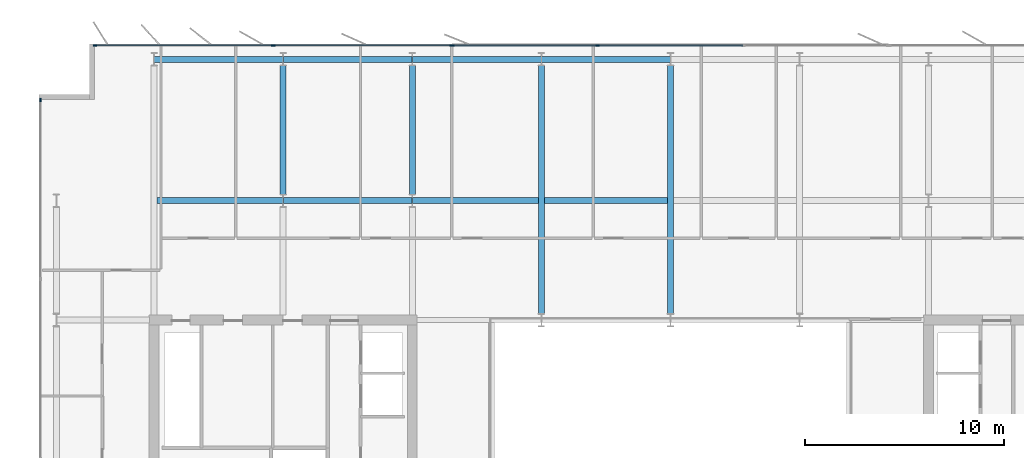
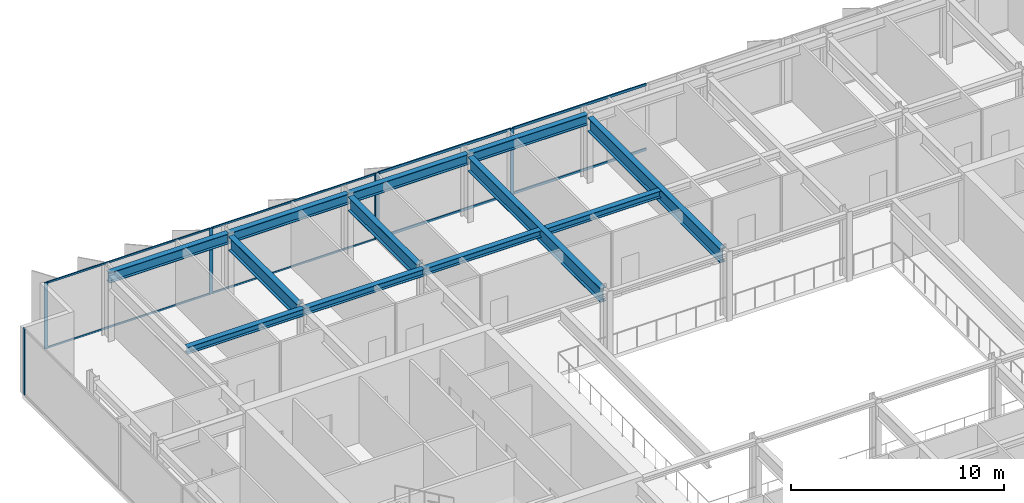
# One storey, part 8 of 20: 14 members, 12 beams, 3 elements without a shape of their own.
"""IFC4 building model written with IfcOpenShell, lengths in metres."""

from ifc_helpers import new_model, si_unit, direction, frame, origin, origin_2d, place, context, subcontext, project, spatial, rectangle, i_section, extrude, material, layer, layer_set, material_profile, profile_set, type_object, element, aggregate, save


model = new_model("IFC4")

# Units and contexts
model_context = context("Model", 3, precision=1e-05, world=origin(), true_north=direction((0.0, 1.0)))
body_context = subcontext(model_context, "Body", "Model", "MODEL_VIEW")
ifc_project = project(units=[si_unit("LENGTHUNIT", "METRE"), si_unit("AREAUNIT", "SQUARE_METRE"), si_unit("VOLUMEUNIT", "CUBIC_METRE"), si_unit("PLANEANGLEUNIT", "RADIAN"), si_unit("MASSUNIT", "GRAM", prefix="KILO")], contexts=[model_context])

# Site, building, storey
site_placement = place(None, origin())
site = spatial("IfcSite", under=ifc_project, at=site_placement, CompositionType="ELEMENT")
building_placement = place(site_placement, origin())
building = spatial("IfcBuilding", under=site, at=building_placement, Name="Putna Gate Headquarters", CompositionType="ELEMENT")
storey_placement = place(building_placement, frame((0.0, 0.0, 298.39990234375)))
storey = spatial("IfcBuildingStorey", under=building, at=storey_placement, Name="L75", CompositionType="ELEMENT", Elevation=298.39990234375)

# Beams
ifc_material_1 = material(Name="Steel S355J2", Category="steel")
ifc_material_profile_1 = material_profile(ifc_material_1, i_section(OverallWidth=0.300048828125, OverallDepth=0.800048828125, WebThickness=0.017578125, FlangeThickness=0.032958984375, at=origin_2d()), Name="Steel S355J2")
ifc_profile_set_1 = profile_set([ifc_material_profile_1], Name="Steel S355J2")
beam_type_1 = type_object("IfcBeamType", Name="BM-GIRD-P-HEB800", PredefinedType="USERDEFINED", material=ifc_profile_set_1)
for number, where, z_axis, x_axis, name in (
    (1, (19.5, 39.322021484375, 3.38818359375), (0.0, 1.0, 0.0), (-1.0, 0.0, 0.0), "L75 North Primary Girder X19-2"),
    (2, (26.0, 39.322021484375, 3.38818359375), (0.0, 1.0, 0.0), (-1.0, 0.0, 0.0), "L75 North Primary Girder X26-2"),
):
    element("IfcBeam", number, at=place(storey_placement, frame(where, z_axis=z_axis, x_axis=x_axis)), inside=storey, type_object=beam_type_1, Name=name, ObjectType="GIRDER", PredefinedType="USERDEFINED", context=body_context, shape_type="SweptSolid", body=[
        extrude(i_section(OverallWidth=0.300048828125, OverallDepth=0.800048828125, WebThickness=0.017578125, FlangeThickness=0.032958984375, at=origin_2d()), origin(), (0.0, 0.0, 1.0), 6.47607421875),
    ])
for number, where, z_axis, x_axis, name in (
    (3, (32.5, 33.322021484375, 3.38818359375), (0.0, 1.0, 0.0), (-1.0, 0.0, 0.0), "L75 North Primary Girder X32"),
    (4, (39.0, 33.322021484375, 3.38818359375), (0.0, 1.0, 0.0), (-1.0, 0.0, 0.0), "L75 North Primary Girder X39"),
):
    element("IfcBeam", number, at=place(storey_placement, frame(where, z_axis=z_axis, x_axis=x_axis)), inside=storey, type_object=beam_type_1, Name=name, ObjectType="GIRDER", PredefinedType="USERDEFINED", context=body_context, shape_type="SweptSolid", body=[
        extrude(i_section(OverallWidth=0.300048828125, OverallDepth=0.800048828125, WebThickness=0.017578125, FlangeThickness=0.032958984375, at=origin_2d()), origin(), (0.0, 0.0, 1.0), 12.47607421875),
    ])
ifc_material_profile_2 = material_profile(ifc_material_1, i_section(OverallWidth=0.300048828125, OverallDepth=0.389892578125, WebThickness=0.010986328125, FlangeThickness=0.01904296875, at=origin_2d()), Name="Steel S355J2")
ifc_profile_set_2 = profile_set([ifc_material_profile_2], Name="Steel S355J2")
beam_type_2 = type_object("IfcBeamType", Name="BM-SEC-Z5-HEA400", PredefinedType="BEAM", material=ifc_profile_set_2)
beam_1_placement = place(storey_placement, frame((13.154052734375, 39.0, 3.593017578125), z_axis=(1.0, 0.0, 0.0), x_axis=(0.0, 1.0, 0.0)))
element("IfcBeam", 5, at=beam_1_placement, inside=storey, type_object=beam_type_2, Name="L75 North Secondary Beam 1", PredefinedType="BEAM", context=body_context, shape_type="SweptSolid", body=[
    extrude(i_section(OverallWidth=0.300048828125, OverallDepth=0.389892578125, WebThickness=0.010986328125, FlangeThickness=0.01904296875, at=origin_2d()), origin(), (0.0, 0.0, 1.0), 6.33984375),
])
beam_2_placement = place(storey_placement, frame((19.506103515625, 39.0, 3.593017578125), z_axis=(1.0, 0.0, 0.0), x_axis=(0.0, 1.0, 0.0)))
element("IfcBeam", 6, at=beam_2_placement, inside=storey, type_object=beam_type_2, Name="L75 North Secondary Beam 2", PredefinedType="BEAM", context=body_context, shape_type="SweptSolid", body=[
    extrude(i_section(OverallWidth=0.300048828125, OverallDepth=0.389892578125, WebThickness=0.010986328125, FlangeThickness=0.01904296875, at=origin_2d()), origin(), (0.0, 0.0, 1.0), 6.48779296875),
])
beam_3_placement = place(storey_placement, frame((26.006103515625, 39.0, 3.593017578125), z_axis=(1.0, 0.0, 0.0), x_axis=(0.0, 1.0, 0.0)))
element("IfcBeam", 7, at=beam_3_placement, inside=storey, type_object=beam_type_2, Name="L75 North Secondary Beam 3", PredefinedType="BEAM", context=body_context, shape_type="SweptSolid", body=[
    extrude(i_section(OverallWidth=0.300048828125, OverallDepth=0.389892578125, WebThickness=0.010986328125, FlangeThickness=0.01904296875, at=origin_2d()), origin(), (0.0, 0.0, 1.0), 6.33984375),
])
beam_4_placement = place(storey_placement, frame((32.654052734375, 39.0, 3.593017578125), z_axis=(1.0, 0.0, 0.0), x_axis=(0.0, 1.0, 0.0)))
element("IfcBeam", 8, at=beam_4_placement, inside=storey, type_object=beam_type_2, Name="L75 North Secondary Beam 4", PredefinedType="BEAM", context=body_context, shape_type="SweptSolid", body=[
    extrude(i_section(OverallWidth=0.300048828125, OverallDepth=0.389892578125, WebThickness=0.010986328125, FlangeThickness=0.01904296875, at=origin_2d()), origin(), (0.0, 0.0, 1.0), 6.19189453125),
])
ifc_material_profile_3 = material_profile(ifc_material_1, i_section(OverallWidth=0.300048828125, OverallDepth=0.590087890625, WebThickness=0.012939453125, FlangeThickness=0.02490234375, at=origin_2d()), Name="Steel S355J2")
ifc_profile_set_3 = profile_set([ifc_material_profile_3], Name="Steel S355J2")
beam_type_3 = type_object("IfcBeamType", Name="BM-SPAN-Z4-HEA600", PredefinedType="SPANDREL", material=ifc_profile_set_3)
for number, where, z_axis, x_axis, name in (
    (9, (13.006103515625, 46.1201171875, 3.4931640625), (1.0, 0.0, 0.0), (0.0, 1.0, 0.0), "L75 N Perimeter Spandrel 1"),
    (10, (19.506103515625, 46.1201171875, 3.4931640625), (1.0, 0.0, 0.0), (0.0, 1.0, 0.0), "L75 N Perimeter Spandrel 2"),
    (11, (26.006103515625, 46.1201171875, 3.4931640625), (1.0, 0.0, 0.0), (0.0, 1.0, 0.0), "L75 N Perimeter Spandrel 3"),
    (12, (32.506103515625, 46.1201171875, 3.4931640625), (1.0, 0.0, 0.0), (0.0, 1.0, 0.0), "L75 N Perimeter Spandrel 4"),
):
    element("IfcBeam", number, at=place(storey_placement, frame(where, z_axis=z_axis, x_axis=x_axis)), inside=storey, type_object=beam_type_3, Name=name, PredefinedType="SPANDREL", context=body_context, shape_type="SweptSolid", body=[
        extrude(i_section(OverallWidth=0.300048828125, OverallDepth=0.590087890625, WebThickness=0.012939453125, FlangeThickness=0.02490234375, at=origin_2d()), origin(), (0.0, 0.0, 1.0), 6.48779296875),
    ])

# Curtain wall, members
ifc_material_2 = material(Name="Anodised bronze aluminium curtain wall", Category="aluminium")
ifc_layer_1 = layer(ifc_material_2, 0.179931640625)
ifc_layer_set_1 = layer_set([ifc_layer_1], Name="Anodised bronze aluminium curtain wall")
curtain_wall_type_1 = type_object("IfcCurtainWallType", Name="CW-SYS-Z5", PredefinedType="USERDEFINED", material=ifc_layer_set_1)
curtain_wall_1_placement = place(storey_placement, origin())
curtain_wall_1 = element("IfcCurtainWall", 13, at=curtain_wall_1_placement, inside=storey, type_object=curtain_wall_type_1, Name="L75 North West Curtain Wall", ObjectType="STICK CURTAIN WALL", PredefinedType="USERDEFINED")
ifc_material_3 = material(Name="Anodised bronze aluminium EN AW-6060", Category="aluminium")
ifc_material_profile_4 = material_profile(ifc_material_3, rectangle(XDim=0.070068359375, YDim=0.179931640625, at=origin_2d()), Name="Anodised bronze aluminium EN AW-6060")
ifc_profile_set_4 = profile_set([ifc_material_profile_4], Name="Anodised bronze aluminium EN AW-6060")
member_type_1 = type_object("IfcMemberType", Name="MULL-CWM-5", PredefinedType="MULLION", material=ifc_profile_set_4)
member_1_placement = place(storey_placement, frame((10.034912109375, 46.820068359375, 0.0), z_axis=(0.0, 0.0, 1.0), x_axis=(0.0, 1.0, 0.0)))
member_1 = element("IfcMember", 14, at=member_1_placement, type_object=member_type_1, Name="CWS-5 mullion 1", PredefinedType="MULLION", context=body_context, shape_type="SweptSolid", body=[
    extrude(rectangle(XDim=0.070068359375, YDim=0.179931640625, at=origin_2d()), origin(), (0.0, 0.0, 1.0), 3.7880859375),
])
member_2_placement = place(storey_placement, frame((19.0, 46.820068359375, 0.0), z_axis=(0.0, 0.0, 1.0), x_axis=(0.0, 1.0, 0.0)))
member_2 = element("IfcMember", 15, at=member_2_placement, type_object=member_type_1, Name="CWS-5 mullion 2", PredefinedType="MULLION", context=body_context, shape_type="SweptSolid", body=[
    extrude(rectangle(XDim=0.070068359375, YDim=0.179931640625, at=origin_2d()), origin(), (0.0, 0.0, 1.0), 3.7880859375),
])
member_3_placement = place(storey_placement, frame((27.965087890625, 46.820068359375, 0.0), z_axis=(0.0, 0.0, 1.0), x_axis=(0.0, 1.0, 0.0)))
member_3 = element("IfcMember", 16, at=member_3_placement, type_object=member_type_1, Name="CWS-5 mullion 3", PredefinedType="MULLION", context=body_context, shape_type="SweptSolid", body=[
    extrude(rectangle(XDim=0.070068359375, YDim=0.179931640625, at=origin_2d()), origin(), (0.0, 0.0, 1.0), 3.7880859375),
])

# Curtain wall, member
curtain_wall_2_placement = place(storey_placement, origin())
curtain_wall_2 = element("IfcCurtainWall", 17, at=curtain_wall_2_placement, inside=storey, type_object=curtain_wall_type_1, Name="L75 West Curtain Wall", ObjectType="STICK CURTAIN WALL", PredefinedType="USERDEFINED")
member_4_placement = place(storey_placement, frame((7.280029296875, 44.06494140625, 0.0), z_axis=(0.0, 0.0, 1.0), x_axis=(-1.0, 0.0, 0.0)))
member_4 = element("IfcMember", 18, at=member_4_placement, type_object=member_type_1, Name="CWS-5 mullion 5", PredefinedType="MULLION", context=body_context, shape_type="SweptSolid", body=[
    extrude(rectangle(XDim=0.070068359375, YDim=0.179931640625, at=origin_2d()), origin(), (0.0, 0.0, 1.0), 3.7880859375),
])
aggregate(curtain_wall_2, [member_4])

# Curtain wall, members
ifc_layer_2 = layer(ifc_material_2, 0.179931640625)
ifc_layer_set_2 = layer_set([ifc_layer_2], Name="Anodised bronze aluminium curtain wall")
curtain_wall_type_2 = type_object("IfcCurtainWallType", Name="CW-SYS-ATR", PredefinedType="USERDEFINED", material=ifc_layer_set_2)
curtain_wall_3_placement = place(storey_placement, origin())
curtain_wall_3 = element("IfcCurtainWall", 19, at=curtain_wall_3_placement, inside=storey, type_object=curtain_wall_type_2, Name="L75 North Atrium Clear Glazing", ObjectType="ATRIUM GLAZING", PredefinedType="USERDEFINED")
ifc_material_profile_5 = material_profile(ifc_material_3, rectangle(XDim=0.070068359375, YDim=0.179931640625, at=origin_2d()), Name="Anodised bronze aluminium EN AW-6060")
ifc_profile_set_5 = profile_set([ifc_material_profile_5], Name="Anodised bronze aluminium EN AW-6060")
member_type_2 = type_object("IfcMemberType", Name="MULL-CWM-AT", PredefinedType="MULLION", material=ifc_profile_set_5)
member_5_placement = place(storey_placement, frame((28.034912109375, 46.820068359375, 0.0), z_axis=(0.0, 0.0, 1.0), x_axis=(0.0, 1.0, 0.0)))
member_5 = element("IfcMember", 20, at=member_5_placement, type_object=member_type_2, Name="CWS-AT mullion 1", PredefinedType="MULLION", context=body_context, shape_type="SweptSolid", body=[
    extrude(rectangle(XDim=0.070068359375, YDim=0.179931640625, at=origin_2d()), origin(), (0.0, 0.0, 1.0), 3.7880859375),
])
member_6_placement = place(storey_placement, frame((35.333251953125, 46.820068359375, 0.0), z_axis=(0.0, 0.0, 1.0), x_axis=(0.0, 1.0, 0.0)))
member_6 = element("IfcMember", 21, at=member_6_placement, type_object=member_type_2, Name="CWS-AT mullion 2", PredefinedType="MULLION", context=body_context, shape_type="SweptSolid", body=[
    extrude(rectangle(XDim=0.070068359375, YDim=0.179931640625, at=origin_2d()), origin(), (0.0, 0.0, 1.0), 3.7880859375),
])

# Member
ifc_material_profile_6 = material_profile(ifc_material_3, rectangle(XDim=0.06005859375, YDim=0.10009765625, at=origin_2d()), Name="Anodised bronze aluminium EN AW-6060")
ifc_profile_set_6 = profile_set([ifc_material_profile_6], Name="Anodised bronze aluminium EN AW-6060")
member_type_3 = type_object("IfcMemberType", Name="TRAN-CWT-5", PredefinedType="USERDEFINED", material=ifc_profile_set_6)
member_7_placement = place(storey_placement, frame((10.070068359375, 46.820068359375, 0.030029296875), z_axis=(1.0, 0.0, 0.0), x_axis=(0.0, 1.0, 0.0)))
member_7 = element("IfcMember", 22, at=member_7_placement, type_object=member_type_3, Name="CWS-5 transom 1.1", ObjectType="TRANSOM", PredefinedType="USERDEFINED", context=body_context, shape_type="SweptSolid", body=[
    extrude(rectangle(XDim=0.06005859375, YDim=0.10009765625, at=origin_2d()), origin(), (0.0, 0.0, 1.0), 8.89501953125),
])

member_8_placement = place(storey_placement, frame((10.070068359375, 46.820068359375, 3.758056640625), z_axis=(1.0, 0.0, 0.0), x_axis=(0.0, 1.0, 0.0)))
member_8 = element("IfcMember", 23, at=member_8_placement, type_object=member_type_3, Name="CWS-5 transom 1.2", ObjectType="TRANSOM", PredefinedType="USERDEFINED", context=body_context, shape_type="SweptSolid", body=[
    extrude(rectangle(XDim=0.06005859375, YDim=0.10009765625, at=origin_2d()), origin(), (0.0, 0.0, 1.0), 8.89501953125),
])

member_9_placement = place(storey_placement, frame((19.034912109375, 46.820068359375, 0.030029296875), z_axis=(1.0, 0.0, 0.0), x_axis=(0.0, 1.0, 0.0)))
member_9 = element("IfcMember", 24, at=member_9_placement, type_object=member_type_3, Name="CWS-5 transom 2.1", ObjectType="TRANSOM", PredefinedType="USERDEFINED", context=body_context, shape_type="SweptSolid", body=[
    extrude(rectangle(XDim=0.06005859375, YDim=0.10009765625, at=origin_2d()), origin(), (0.0, 0.0, 1.0), 8.89501953125),
])

member_10_placement = place(storey_placement, frame((19.034912109375, 46.820068359375, 3.758056640625), z_axis=(1.0, 0.0, 0.0), x_axis=(0.0, 1.0, 0.0)))
member_10 = element("IfcMember", 25, at=member_10_placement, type_object=member_type_3, Name="CWS-5 transom 2.2", ObjectType="TRANSOM", PredefinedType="USERDEFINED", context=body_context, shape_type="SweptSolid", body=[
    extrude(rectangle(XDim=0.06005859375, YDim=0.10009765625, at=origin_2d()), origin(), (0.0, 0.0, 1.0), 8.89501953125),
])

aggregate(curtain_wall_1, [member_1, member_2, member_3, member_7, member_8, member_9, member_10])

ifc_material_profile_7 = material_profile(ifc_material_3, rectangle(XDim=0.070068359375, YDim=0.139892578125, at=origin_2d()), Name="Anodised bronze aluminium EN AW-6060")
ifc_profile_set_7 = profile_set([ifc_material_profile_7], Name="Anodised bronze aluminium EN AW-6060")
member_type_4 = type_object("IfcMemberType", Name="TRAN-CWT-AT", PredefinedType="USERDEFINED", material=ifc_profile_set_7)
member_11_placement = place(storey_placement, frame((28.070068359375, 46.820068359375, 0.03515625), z_axis=(1.0, 0.0, 0.0), x_axis=(0.0, 1.0, 0.0)))
member_11 = element("IfcMember", 26, at=member_11_placement, type_object=member_type_4, Name="CWS-AT transom 1.1", ObjectType="TRANSOM", PredefinedType="USERDEFINED", context=body_context, shape_type="SweptSolid", body=[
    extrude(rectangle(XDim=0.070068359375, YDim=0.139892578125, at=origin_2d()), origin(), (0.0, 0.0, 1.0), 7.228271484375),
])

member_12_placement = place(storey_placement, frame((28.070068359375, 46.820068359375, 3.753173828125), z_axis=(1.0, 0.0, 0.0), x_axis=(0.0, 1.0, 0.0)))
member_12 = element("IfcMember", 27, at=member_12_placement, type_object=member_type_4, Name="CWS-AT transom 1.2", ObjectType="TRANSOM", PredefinedType="USERDEFINED", context=body_context, shape_type="SweptSolid", body=[
    extrude(rectangle(XDim=0.070068359375, YDim=0.139892578125, at=origin_2d()), origin(), (0.0, 0.0, 1.0), 7.228271484375),
])

member_13_placement = place(storey_placement, frame((35.368408203125, 46.820068359375, 0.03515625), z_axis=(1.0, 0.0, 0.0), x_axis=(0.0, 1.0, 0.0)))
member_13 = element("IfcMember", 28, at=member_13_placement, type_object=member_type_4, Name="CWS-AT transom 2.1", ObjectType="TRANSOM", PredefinedType="USERDEFINED", context=body_context, shape_type="SweptSolid", body=[
    extrude(rectangle(XDim=0.070068359375, YDim=0.139892578125, at=origin_2d()), origin(), (0.0, 0.0, 1.0), 7.26318359375),
])

member_14_placement = place(storey_placement, frame((35.368408203125, 46.820068359375, 3.753173828125), z_axis=(1.0, 0.0, 0.0), x_axis=(0.0, 1.0, 0.0)))
member_14 = element("IfcMember", 29, at=member_14_placement, type_object=member_type_4, Name="CWS-AT transom 2.2", ObjectType="TRANSOM", PredefinedType="USERDEFINED", context=body_context, shape_type="SweptSolid", body=[
    extrude(rectangle(XDim=0.070068359375, YDim=0.139892578125, at=origin_2d()), origin(), (0.0, 0.0, 1.0), 7.26318359375),
])

aggregate(curtain_wall_3, [member_5, member_6, member_11, member_12, member_13, member_14])

save(model, "model.ifc")
